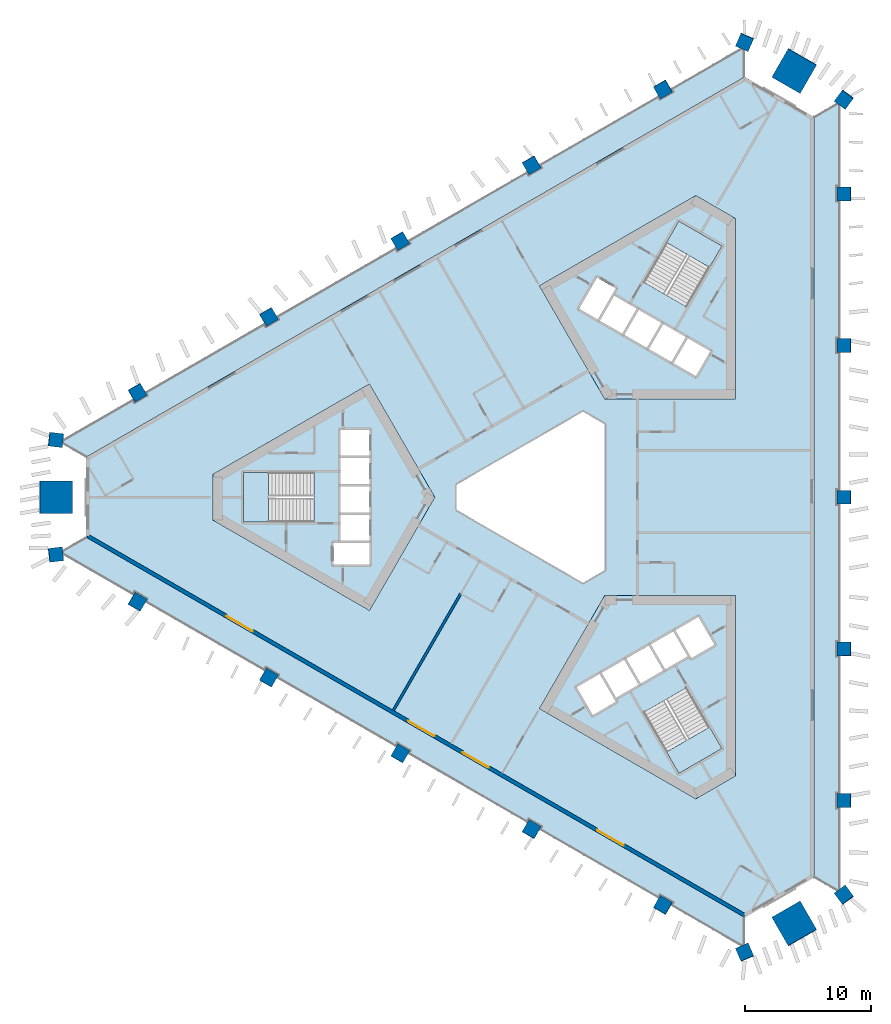
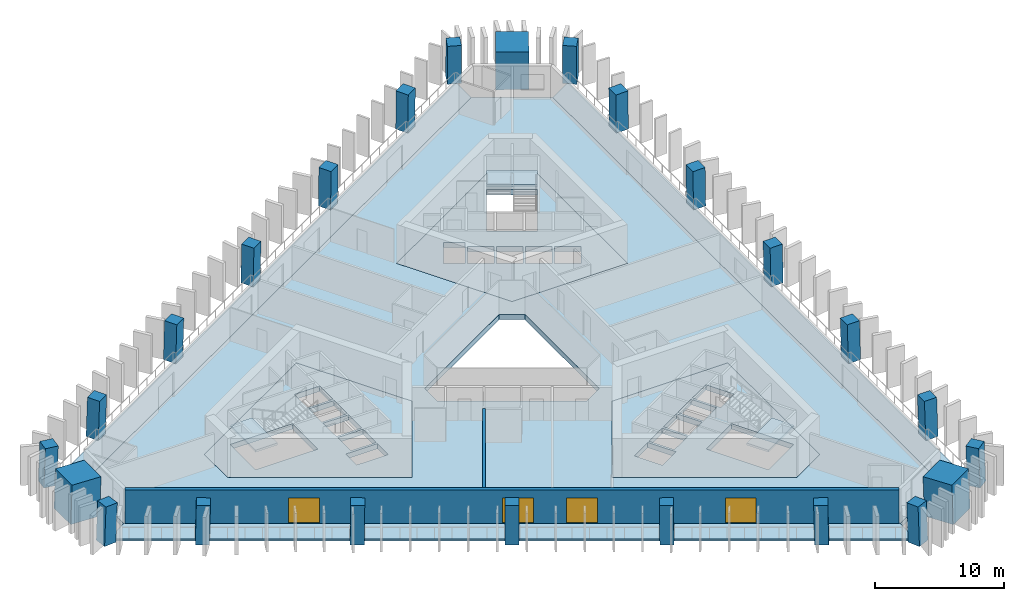
# One storey, part 1 of 10: 24 columns, 10 slabs, 4 doors, 2 walls, 4 openings, 3 elements without a shape of their own.
"""IFC4 building model written with IfcOpenShell, lengths in metres."""

from ifc_helpers import new_model, si_unit, direction, frame, frame_2d, origin, origin_2d, place, context, subcontext, project, spatial, polyline, rectangle, outline, extrude, material, layer, layer_set, material_profile, profile_set, type_object, element, fill, aggregate, save


model = new_model("IFC4")

# Units and contexts
model_context = context("Model", 3, precision=1e-05, world=origin(), true_north=direction((0.0, 1.0)))
body_context = subcontext(model_context, "Body", "Model", "MODEL_VIEW")
ifc_project = project(units=[si_unit("LENGTHUNIT", "METRE"), si_unit("AREAUNIT", "SQUARE_METRE"), si_unit("VOLUMEUNIT", "CUBIC_METRE"), si_unit("PLANEANGLEUNIT", "RADIAN"), si_unit("MASSUNIT", "GRAM", prefix="KILO")], contexts=[model_context])

# Site, building, storey
site_placement = place(None, origin())
site = spatial("IfcSite", under=ifc_project, at=site_placement, CompositionType="ELEMENT")
building_placement = place(site_placement, origin())
building = spatial("IfcBuilding", under=site, at=building_placement, Name="Jabali Bay Hotel Tower and Convention Centre", CompositionType="ELEMENT")
storey_placement = place(building_placement, frame((0.0, 0.0, 57.300048828125)))
storey = spatial("IfcBuildingStorey", under=building, at=storey_placement, Name="L12", CompositionType="ELEMENT", Elevation=57.300048828125)

# Columns
ifc_material_1 = material(Name="Concrete C60", Category="concrete")
ifc_material_profile_1 = material_profile(ifc_material_1, rectangle(XDim=1.10009765625, YDim=1.10009765625, at=origin_2d()), Name="Frame column 1100")
ifc_profile_set_1 = profile_set([ifc_material_profile_1], Name="Concrete C60")
column_type_1 = type_object("IfcColumnType", Name="Frame column 1100", PredefinedType="COLUMN", material=ifc_profile_set_1)
column_1_placement = place(storey_placement, frame((84.119873046875, 112.3994140625, 0.0), z_axis=(-0.00837646992, -0.028097450282, 0.999570091609), x_axis=(0.86617163682, 0.499292783589, 0.021293469065)))
element("IfcColumn", 1, at=column_1_placement, inside=storey, type_object=column_type_1, Name="FC2 F1.1 L12", PredefinedType="COLUMN", context=body_context, shape_type="SweptSolid", body=[
    extrude(rectangle(XDim=1.10009765625, YDim=1.10009765625, at=origin_2d()), origin(), (0.0, 0.0, 1.0), 3.70166015625),
])
column_2_placement = place(storey_placement, frame((73.685302734375, 106.375, 0.0), z_axis=(0.000857578916, -0.022824792675, 0.999739112668), x_axis=(0.866060219769, 0.499825848733, 0.01066848966)))
element("IfcColumn", 2, at=column_2_placement, inside=storey, type_object=column_type_1, Name="FC2 F1.2 L12", PredefinedType="COLUMN", context=body_context, shape_type="SweptSolid", body=[
    extrude(rectangle(XDim=1.10009765625, YDim=1.10009765625, at=origin_2d()), origin(), (0.0, 0.0, 1.0), 3.700927734375),
])
column_3_placement = place(storey_placement, frame((63.25048828125, 100.3505859375, 0.0), z_axis=(0.010093620709, -0.017482414954, 0.999796221231), x_axis=(-0.499897086036, 0.865849517735, 0.020187025824)))
element("IfcColumn", 3, at=column_3_placement, inside=storey, type_object=column_type_1, Name="FC2 F1.3 L12", PredefinedType="COLUMN", context=body_context, shape_type="SweptSolid", body=[
    extrude(rectangle(XDim=1.10009765625, YDim=1.10009765625, at=origin_2d()), origin(), (0.0, 0.0, 1.0), 3.70068359375),
])
column_4_placement = place(storey_placement, frame((52.81591796875, 94.326171875, 0.0), z_axis=(0.019328516974, -0.012138044789, 0.999739504221), x_axis=(-0.500205614953, 0.865671455024, 0.020181048691)))
element("IfcColumn", 4, at=column_4_placement, inside=storey, type_object=column_type_1, Name="FC2 F1.4 L12", PredefinedType="COLUMN", context=body_context, shape_type="SweptSolid", body=[
    extrude(rectangle(XDim=1.10009765625, YDim=1.10009765625, at=origin_2d()), origin(), (0.0, 0.0, 1.0), 3.700927734375),
])
for number, where, z_axis, x_axis, name in (
    (5, (42.38134765625, 88.3017578125, 0.0), (0.028559101991, -0.006859460986, 0.999568569678), (-0.498513358127, 0.866646856607, 0.020190534949), "FC2 F1.5 L12"),
    (6, (42.38134765625, 71.6982421875, 0.0), (0.028559101991, 0.006859460986, 0.999568569678), (-0.866411455062, 0.498874907895, 0.021331123037), "FC2 F2.1 L12"),
):
    element("IfcColumn", number, at=place(storey_placement, frame(where, z_axis=z_axis, x_axis=x_axis)), inside=storey, type_object=column_type_1, Name=name, PredefinedType="COLUMN", context=body_context, shape_type="SweptSolid", body=[
        extrude(rectangle(XDim=1.10009765625, YDim=1.10009765625, at=origin_2d()), origin(), (0.0, 0.0, 1.0), 3.70166015625),
    ])
column_5_placement = place(storey_placement, frame((52.81591796875, 65.673828125, 0.0), z_axis=(0.019328516974, 0.012138044789, 0.999739504221), x_axis=(-0.865690909737, 0.500465383244, 0.010660627254)))
element("IfcColumn", 7, at=column_5_placement, inside=storey, type_object=column_type_1, Name="FC2 F2.2 L12", PredefinedType="COLUMN", context=body_context, shape_type="SweptSolid", body=[
    extrude(rectangle(XDim=1.10009765625, YDim=1.10009765625, at=origin_2d()), origin(), (0.0, 0.0, 1.0), 3.700927734375),
])
column_6_placement = place(storey_placement, frame((63.25048828125, 59.6494140625, 0.0), z_axis=(0.010093620709, 0.017482414954, 0.999796221231), x_axis=(-0.866025993948, 0.499998977805, 1.48331e-07)))
element("IfcColumn", 8, at=column_6_placement, inside=storey, type_object=column_type_1, Name="FC2 F2.3 L12", PredefinedType="COLUMN", context=body_context, shape_type="SweptSolid", body=[
    extrude(rectangle(XDim=1.10009765625, YDim=1.10009765625, at=origin_2d()), origin(), (0.0, 0.0, 1.0), 3.70068359375),
])
column_7_placement = place(storey_placement, frame((73.685302734375, 53.625, 0.0), z_axis=(0.000857578916, 0.022824792675, 0.999739112668), x_axis=(-0.499938956565, -0.865825126557, 0.020196285069)))
element("IfcColumn", 9, at=column_7_placement, inside=storey, type_object=column_type_1, Name="FC2 F2.4 L12", PredefinedType="COLUMN", context=body_context, shape_type="SweptSolid", body=[
    extrude(rectangle(XDim=1.10009765625, YDim=1.10009765625, at=origin_2d()), origin(), (0.0, 0.0, 1.0), 3.700927734375),
])
for number, where, z_axis, x_axis, name in (
    (10, (84.119873046875, 47.6005859375, 0.0), (-0.00837646992, 0.028097450282, 0.999570091609), (-0.49967642562, -0.865977626468, 0.020154903518), "FC2 F2.5 L12"),
    (11, (98.498779296875, 55.902099609375, 0.0), (-0.020182631348, 0.021369844956, 0.999567902205), (-0.001315292007, -0.999771248084, 0.021347634776), "FC2 F0.1 L12"),
):
    element("IfcColumn", number, at=place(storey_placement, frame(where, z_axis=z_axis, x_axis=x_axis)), inside=storey, type_object=column_type_1, Name=name, PredefinedType="COLUMN", context=body_context, shape_type="SweptSolid", body=[
        extrude(rectangle(XDim=1.10009765625, YDim=1.10009765625, at=origin_2d()), origin(), (0.0, 0.0, 1.0), 3.70166015625),
    ])
column_8_placement = place(storey_placement, frame((98.498779296875, 67.951171875, 0.0), z_axis=(-0.020186102726, 0.010620792611, 0.999739826165), x_axis=(0.001543238363, -0.999942052594, 0.01065410105)))
element("IfcColumn", 12, at=column_8_placement, inside=storey, type_object=column_type_1, Name="FC2 F0.2 L12", PredefinedType="COLUMN", context=body_context, shape_type="SweptSolid", body=[
    extrude(rectangle(XDim=1.10009765625, YDim=1.10009765625, at=origin_2d()), origin(), (0.0, 0.0, 1.0), 3.700927734375),
])
column_9_placement = place(storey_placement, frame((98.498779296875, 80.0, 0.0), z_axis=(-0.020187241331, 0.0, 0.99979621688), x_axis=(0.0, -1.0, 0.0)))
element("IfcColumn", 13, at=column_9_placement, inside=storey, type_object=column_type_1, Name="FC2 F0.3 L12", PredefinedType="COLUMN", context=body_context, shape_type="SweptSolid", body=[
    extrude(rectangle(XDim=1.10009765625, YDim=1.10009765625, at=origin_2d()), origin(), (0.0, 0.0, 1.0), 3.70068359375),
])
column_10_placement = place(storey_placement, frame((98.498779296875, 92.048828125, 0.0), z_axis=(-0.020186102726, -0.010620792611, 0.999739826165), x_axis=(0.999795048834, -0.001757901631, 0.020168542579)))
element("IfcColumn", 14, at=column_10_placement, inside=storey, type_object=column_type_1, Name="FC2 F0.4 L12", PredefinedType="COLUMN", context=body_context, shape_type="SweptSolid", body=[
    extrude(rectangle(XDim=1.10009765625, YDim=1.10009765625, at=origin_2d()), origin(), (0.0, 0.0, 1.0), 3.700927734375),
])
column_11_placement = place(storey_placement, frame((98.498779296875, 104.097900390625, 0.0), z_axis=(-0.020182631348, -0.021369844956, 0.999567902205), x_axis=(0.999795444778, 0.000883872229, 0.020206122118)))
element("IfcColumn", 15, at=column_11_placement, inside=storey, type_object=column_type_1, Name="FC2 F0.5 L12", PredefinedType="COLUMN", context=body_context, shape_type="SweptSolid", body=[
    extrude(rectangle(XDim=1.10009765625, YDim=1.10009765625, at=origin_2d()), origin(), (0.0, 0.0, 1.0), 3.70166015625),
])
for number, where, z_axis, x_axis, name in (
    (16, (98.498779296875, 48.40771484375, 0.0), (-0.020178741915, 0.029015184452, 0.999375273581), (-0.802481468908, -0.596675989958, 0.001120297334), "FC2 V0 L12"),
    (17, (98.498779296875, 111.59228515625, 0.0), (-0.020178741915, -0.029015184452, 0.999375273581), (0.596335736338, 0.801957531343, 0.035324318648), "FC2 V1 L12"),
    (18, (90.6103515625, 116.146728515625, 0.0), (-0.015035141917, -0.031982648376, 0.99937533225), (0.918010378214, -0.396554776222, 0.001120244128), "FC2 V2 L12"),
    (19, (35.890869140625, 84.554443359375, 0.0), (0.03521388716, -0.002967462401, 0.999375393092), (-0.992684149689, 0.115458259268, 0.035320947384), "FC2 V3 L12"),
    (20, (35.890869140625, 75.445556640625, 0.0), (0.03521388716, 0.002967462401, 0.999375393092), (-0.115490956825, 0.993307900167, 0.001119981223), "FC2 V4 L12"),
    (21, (90.6103515625, 43.853271484375, 0.0), (-0.015035141917, 0.031982648376, 0.99937533225), (0.396271232868, -0.917453769766, 0.035322660471), "FC2 V5 L12"),
):
    element("IfcColumn", number, at=place(storey_placement, frame(where, z_axis=z_axis, x_axis=x_axis)), inside=storey, type_object=column_type_1, Name=name, PredefinedType="COLUMN", context=body_context, shape_type="SweptSolid", body=[
        extrude(rectangle(XDim=1.10009765625, YDim=1.10009765625, at=origin_2d()), origin(), (0.0, 0.0, 1.0), 3.7021484375),
    ])
ifc_material_2 = material(Name="Concrete C70", Category="concrete")
ifc_material_profile_2 = material_profile(ifc_material_2, rectangle(XDim=2.60009765625, YDim=2.60009765625, at=origin_2d()), Name="Mega column 2600")
ifc_profile_set_2 = profile_set([ifc_material_profile_2], Name="Concrete C70")
column_type_2 = type_object("IfcColumnType", Name="Mega column 2600", PredefinedType="COLUMN", material=ifc_profile_set_2)
for number, where, z_axis, x_axis, name in (
    (22, (94.5546875, 113.86962890625, 0.0), (-0.017607001884, -0.030531992032, 0.999378702468), (0.866279052578, -0.499560409824, 2.461e-09), "MC2 M1 L12"),
    (23, (35.890869140625, 80.0, 0.0), (0.035214042205, 0.0, 0.999379793288), (0.0, 1.0, 0.0), "MC2 M0 L12"),
    (24, (94.5546875, 46.13037109375, 0.0), (-0.017607001884, 0.030531992032, 0.999378702468), (0.4992500341, -0.865740835585, 0.035244986208), "MC2 M2 L12"),
):
    element("IfcColumn", number, at=place(storey_placement, frame(where, z_axis=z_axis, x_axis=x_axis)), inside=storey, type_object=column_type_2, Name=name, PredefinedType="COLUMN", context=body_context, shape_type="SweptSolid", body=[
        extrude(rectangle(XDim=2.60009765625, YDim=2.60009765625, at=origin_2d()), origin(), (0.0, 0.0, 1.0), 3.7021484375),
    ])

# Slabs
ifc_material_3 = material(Name="Concrete C40", Category="concrete")
ifc_layer_1 = layer(ifc_material_3, 0.5)
ifc_layer_set_1 = layer_set([ifc_layer_1], Name="Concrete C40")
slab_type_1 = type_object("IfcSlabType", Name="Core floor slab 500", PredefinedType="FLOOR", material=ifc_layer_set_1)
slab_1_placement = place(storey_placement, frame((0.0, 0.0, -0.5)))
element("IfcSlab", 25, at=slab_1_placement, inside=storey, type_object=slab_type_1, Name="Core floor slab 1 L12", PredefinedType="FLOOR", context=body_context, shape_type="SweptSolid", body=[
    extrude(outline(polyline([(66.0, 80.0), (60.81005859375, 88.9892578125), (48.39697265625, 81.82275390625), (48.39697265625, 78.17724609375), (60.81005859375, 71.0107421875), (66.0, 80.0)]), holes=[polyline([(60.800048828125, 74.64990234375), (60.800048828125, 76.35009765625), (57.949951171875, 76.35009765625), (57.949951171875, 74.64990234375), (60.800048828125, 74.64990234375)]), polyline([(58.52001953125, 76.550048828125), (60.800048828125, 76.550048828125), (60.800048828125, 78.60009765625), (58.52001953125, 78.60009765625), (58.52001953125, 76.550048828125)]), polyline([(58.52001953125, 78.800048828125), (60.800048828125, 78.800048828125), (60.800048828125, 80.85009765625), (58.52001953125, 80.85009765625), (58.52001953125, 78.800048828125)]), polyline([(56.409912109375, 81.97509765625), (50.820068359375, 81.97509765625), (50.820068359375, 78.02490234375), (56.409912109375, 78.02490234375), (56.409912109375, 81.97509765625)]), polyline([(58.52001953125, 81.050048828125), (60.800048828125, 81.050048828125), (60.800048828125, 83.10009765625), (58.52001953125, 83.10009765625), (58.52001953125, 81.050048828125)]), polyline([(58.52001953125, 83.300048828125), (60.800048828125, 83.300048828125), (60.800048828125, 85.35009765625), (58.52001953125, 85.35009765625), (58.52001953125, 83.300048828125)])]), origin(), (0.0, 0.0, 1.0), 0.5),
])
slab_2_placement = place(storey_placement, frame((0.0, 0.0, -0.5)))
element("IfcSlab", 26, at=slab_2_placement, inside=storey, type_object=slab_type_1, Name="Core floor slab 2 L12", PredefinedType="FLOOR", context=body_context, shape_type="SweptSolid", body=[
    extrude(outline(polyline([(79.5, 87.794189453125), (89.8798828125, 87.794189453125), (89.8798828125, 102.127685546875), (86.72314453125, 103.9501953125), (74.31005859375, 96.78369140625), (79.5, 87.794189453125)]), holes=[polyline([(84.957763671875, 90.6474609375), (86.733154296875, 89.62255859375), (87.873291015625, 91.59716796875), (86.097900390625, 92.6220703125), (84.957763671875, 90.6474609375)]), polyline([(84.1494140625, 93.7470703125), (83.00927734375, 91.7724609375), (84.78466796875, 90.74755859375), (85.924560546875, 92.72216796875), (84.1494140625, 93.7470703125)]), polyline([(82.20068359375, 94.8720703125), (81.060791015625, 92.8974609375), (82.836181640625, 91.87255859375), (83.97607421875, 93.84716796875), (82.20068359375, 94.8720703125)]), polyline([(79.1123046875, 94.0224609375), (80.887451171875, 92.99755859375), (82.027587890625, 94.97216796875), (80.252197265625, 95.9970703125), (79.1123046875, 94.0224609375)]), polyline([(78.891845703125, 97.440673828125), (77.466796875, 94.97265625), (78.93896484375, 94.12255859375), (80.364013671875, 96.5908203125), (78.891845703125, 97.440673828125)]), polyline([(82.584716796875, 97.0869140625), (86.00537109375, 95.11181640625), (88.80029296875, 99.952880859375), (85.379638671875, 101.927978515625), (82.584716796875, 97.0869140625)])]), origin(), (0.0, 0.0, 1.0), 0.5),
])
slab_3_placement = place(storey_placement, frame((0.0, 0.0, -0.5)))
element("IfcSlab", 27, at=slab_3_placement, inside=storey, type_object=slab_type_1, Name="Core floor slab 3 L12", PredefinedType="FLOOR", context=body_context, shape_type="SweptSolid", body=[
    extrude(outline(polyline([(79.5, 72.205810546875), (74.31005859375, 63.21630859375), (86.72314453125, 56.0498046875), (89.8798828125, 57.872314453125), (89.8798828125, 72.205810546875), (79.5, 72.205810546875)]), holes=[polyline([(82.584716796875, 62.9130859375), (85.379638671875, 58.072021484375), (88.80029296875, 60.047119140625), (86.00537109375, 64.88818359375), (82.584716796875, 62.9130859375)]), polyline([(80.365478515625, 63.756591796875), (79.090576171875, 65.96484375), (77.27197265625, 64.9150390625), (78.546875, 62.70654296875), (80.365478515625, 63.756591796875)]), polyline([(82.17919921875, 65.115478515625), (81.0390625, 67.08984375), (79.263671875, 66.06494140625), (80.40380859375, 64.09033203125), (82.17919921875, 65.115478515625)]), polyline([(82.98779296875, 68.21484375), (81.21240234375, 67.18994140625), (82.352294921875, 65.21533203125), (84.127685546875, 66.240478515625), (82.98779296875, 68.21484375)]), polyline([(86.076171875, 67.365478515625), (84.936279296875, 69.33984375), (83.160888671875, 68.31494140625), (84.30078125, 66.34033203125), (86.076171875, 67.365478515625)]), polyline([(88.203125, 68.281494140625), (86.927978515625, 70.489990234375), (85.109375, 69.43994140625), (86.384521484375, 67.231689453125), (88.203125, 68.281494140625)])]), origin(), (0.0, 0.0, 1.0), 0.5),
])
ifc_layer_2 = layer(ifc_material_3, 0.199951171875)
ifc_layer_set_2 = layer_set([ifc_layer_2], Name="Concrete C40")
slab_type_2 = type_object("IfcSlabType", Name="Loggia slab 200", PredefinedType="FLOOR", material=ifc_layer_set_2)
slab_4_placement = place(storey_placement, frame((0.0, 0.0, -0.199951171875)))
element("IfcSlab", 28, at=slab_4_placement, inside=storey, type_object=slab_type_2, Name="Loggia slab east face L12", PredefinedType="FLOOR", context=body_context, shape_type="SweptSolid", body=[
    extrude(outline(polyline([(96.098876953125, 110.20654296875), (97.97998046875, 111.292724609375), (98.19873046875, 111.1298828125), (98.19873046875, 104.647705078125), (97.94873046875, 104.647705078125), (97.94873046875, 103.5478515625), (98.19873046875, 103.5478515625), (98.19873046875, 92.598876953125), (97.94873046875, 92.598876953125), (97.94873046875, 91.4990234375), (98.19873046875, 91.4990234375), (98.19873046875, 80.550048828125), (97.94873046875, 80.550048828125), (97.94873046875, 79.449951171875), (98.19873046875, 79.449951171875), (98.19873046875, 68.5009765625), (97.94873046875, 68.5009765625), (97.94873046875, 67.401123046875), (98.19873046875, 67.401123046875), (98.19873046875, 56.4521484375), (97.94873046875, 56.4521484375), (97.94873046875, 55.352294921875), (98.19873046875, 55.352294921875), (98.19873046875, 48.8701171875), (97.97998046875, 48.707275390625), (96.098876953125, 49.79345703125), (96.098876953125, 110.20654296875)])), origin(), (0.0, 0.0, 1.0), 0.199951171875),
])
slab_5_placement = place(storey_placement, frame((0.0, 0.0, -0.199951171875)))
element("IfcSlab", 29, at=slab_5_placement, inside=storey, type_object=slab_type_2, Name="Loggia slab north-west face L12", PredefinedType="FLOOR", context=body_context, shape_type="SweptSolid", body=[
    extrude(outline(polyline([(38.290771484375, 83.168701171875), (36.40966796875, 84.2548828125), (36.441162109375, 84.52587890625), (42.054931640625, 87.766845703125), (42.179931640625, 87.55029296875), (43.132568359375, 88.100341796875), (43.007568359375, 88.31689453125), (52.489501953125, 93.791259765625), (52.614501953125, 93.57470703125), (53.567138671875, 94.124755859375), (53.442138671875, 94.34130859375), (62.92431640625, 99.815673828125), (63.04931640625, 99.599365234375), (64.001953125, 100.149169921875), (63.876953125, 100.36572265625), (73.35888671875, 105.84033203125), (73.48388671875, 105.623779296875), (74.4365234375, 106.173828125), (74.3115234375, 106.39013671875), (83.793701171875, 111.86474609375), (83.918701171875, 111.648193359375), (84.871337890625, 112.1982421875), (84.746337890625, 112.414794921875), (90.35986328125, 115.65576171875), (90.6103515625, 115.547607421875), (90.6103515625, 113.37548828125), (38.290771484375, 83.168701171875)])), origin(), (0.0, 0.0, 1.0), 0.199951171875),
])
slab_6_placement = place(storey_placement, frame((0.0, 0.0, -0.199951171875)))
element("IfcSlab", 30, at=slab_6_placement, inside=storey, type_object=slab_type_2, Name="Loggia slab south-west face L12", PredefinedType="FLOOR", context=body_context, shape_type="SweptSolid", body=[
    extrude(outline(polyline([(90.6103515625, 46.62451171875), (90.6103515625, 44.452392578125), (90.35986328125, 44.34423828125), (84.746337890625, 47.585205078125), (84.871337890625, 47.8017578125), (83.918701171875, 48.351806640625), (83.793701171875, 48.13525390625), (74.3115234375, 53.60986328125), (74.4365234375, 53.826171875), (73.48388671875, 54.376220703125), (73.35888671875, 54.15966796875), (63.876953125, 59.63427734375), (64.001953125, 59.850830078125), (63.04931640625, 60.400634765625), (62.92431640625, 60.184326171875), (53.442138671875, 65.65869140625), (53.567138671875, 65.875244140625), (52.614501953125, 66.42529296875), (52.489501953125, 66.208740234375), (43.007568359375, 71.68310546875), (43.132568359375, 71.899658203125), (42.179931640625, 72.44970703125), (42.054931640625, 72.233154296875), (36.441162109375, 75.47412109375), (36.40966796875, 75.7451171875), (38.290771484375, 76.831298828125), (90.6103515625, 46.62451171875)])), origin(), (0.0, 0.0, 1.0), 0.199951171875),
])
ifc_layer_3 = layer(ifc_material_3, 0.5)
ifc_layer_set_3 = layer_set([ifc_layer_3], Name="Concrete C40")
slab_type_3 = type_object("IfcSlabType", Name="Post-tensioned flat slab 500", PredefinedType="FLOOR", material=ifc_layer_set_3)
slab_7_placement = place(storey_placement, frame((0.0, 0.0, -0.5)))
element("IfcSlab", 31, at=slab_7_placement, inside=storey, type_object=slab_type_3, Name="Floor slab L12", PredefinedType="FLOOR", context=body_context, shape_type="SweptSolid", body=[
    extrude(outline(polyline([(90.6103515625, 113.37548828125), (96.098876953125, 110.20654296875), (96.098876953125, 49.79345703125), (90.6103515625, 46.62451171875), (38.290771484375, 76.831298828125), (38.290771484375, 83.168701171875), (90.6103515625, 113.37548828125)]), holes=[polyline([(67.73193359375, 79.0), (77.76806640625, 73.205810546875), (79.5, 74.205810546875), (79.5, 85.794189453125), (77.76806640625, 86.794189453125), (67.73193359375, 81.0), (67.73193359375, 79.0)]), polyline([(48.39697265625, 78.17724609375), (60.81005859375, 71.0107421875), (66.0, 80.0), (60.81005859375, 88.9892578125), (48.39697265625, 81.82275390625), (48.39697265625, 78.17724609375)]), polyline([(89.8798828125, 102.127685546875), (86.72314453125, 103.9501953125), (74.31005859375, 96.78369140625), (79.5, 87.794189453125), (89.8798828125, 87.794189453125), (89.8798828125, 102.127685546875)]), polyline([(74.31005859375, 63.21630859375), (86.72314453125, 56.0498046875), (89.8798828125, 57.872314453125), (89.8798828125, 72.205810546875), (79.5, 72.205810546875), (74.31005859375, 63.21630859375)])]), origin(), (0.0, 0.0, 1.0), 0.5),
])

# Stair, slab
stair_type = type_object("IfcStairType", Name="Exit stair 1900", PredefinedType="HALF_TURN_STAIR", material=ifc_material_3)
stair_1_placement = place(storey_placement, origin())
stair_1 = element("IfcStair", 32, at=stair_1_placement, inside=storey, type_object=stair_type, Name="L12 Exit Stair 1", PredefinedType="HALF_TURN_STAIR")
ifc_layer_4 = layer(ifc_material_3, 0.199951171875)
ifc_layer_set_4 = layer_set([ifc_layer_4], Name="Concrete C40")
slab_type_4 = type_object("IfcSlabType", Name="Stair landing 200", PredefinedType="LANDING", material=ifc_layer_set_4)
slab_8_placement = place(storey_placement, frame((0.0, 0.0, 1.64990234375)))
slab_8 = element("IfcSlab", 33, at=slab_8_placement, type_object=slab_type_4, Name="ST1 landing 1", PredefinedType="LANDING", context=body_context, shape_type="SweptSolid", body=[
    extrude(outline(polyline([(52.782958984375, 81.97509765625), (50.820068359375, 81.97509765625), (50.820068359375, 78.02490234375), (52.782958984375, 78.02490234375), (52.782958984375, 81.97509765625)])), origin(), (0.0, 0.0, 1.0), 0.199951171875),
])
aggregate(stair_1, [slab_8])

stair_2_placement = place(storey_placement, origin())
stair_2 = element("IfcStair", 34, at=stair_2_placement, inside=storey, type_object=stair_type, Name="L12 Exit Stair 2", PredefinedType="HALF_TURN_STAIR")
slab_9_placement = place(storey_placement, frame((0.0, 0.0, 1.64990234375)))
slab_9 = element("IfcSlab", 35, at=slab_9_placement, type_object=slab_type_4, Name="ST2 landing 1", PredefinedType="LANDING", context=body_context, shape_type="SweptSolid", body=[
    extrude(outline(polyline([(87.81884765625, 98.2529296875), (88.80029296875, 99.952880859375), (85.379638671875, 101.927978515625), (84.398193359375, 100.22802734375), (87.81884765625, 98.2529296875)])), origin(), (0.0, 0.0, 1.0), 0.199951171875),
])
aggregate(stair_2, [slab_9])

stair_3_placement = place(storey_placement, origin())
stair_3 = element("IfcStair", 36, at=stair_3_placement, inside=storey, type_object=stair_type, Name="L12 Exit Stair 3", PredefinedType="HALF_TURN_STAIR")
slab_10_placement = place(storey_placement, frame((0.0, 0.0, 1.64990234375)))
slab_10 = element("IfcSlab", 37, at=slab_10_placement, type_object=slab_type_4, Name="ST3 landing 1", PredefinedType="LANDING", context=body_context, shape_type="SweptSolid", body=[
    extrude(outline(polyline([(84.398193359375, 59.77197265625), (85.379638671875, 58.072021484375), (88.80029296875, 60.047119140625), (87.81884765625, 61.7470703125), (84.398193359375, 59.77197265625)])), origin(), (0.0, 0.0, 1.0), 0.199951171875),
])
aggregate(stair_3, [slab_10])

# Wall, openings, doors
ifc_layer_5 = layer(ifc_material_3, 0.300048828125)
ifc_layer_set_5 = layer_set([ifc_layer_5], Name="Concrete C40")
wall_type_1 = type_object("IfcWallType", Name="External wall 300", PredefinedType="SOLIDWALL", material=ifc_layer_set_5)
wall_1_placement = place(storey_placement, frame((90.6103515625, 46.7978515625, 0.0), z_axis=(0.0, 0.0, 1.0), x_axis=(-0.866026578911, 0.499997964616, 0.0)))
wall_1 = element("IfcWall", 38, at=wall_1_placement, inside=storey, type_object=wall_type_1, Name="External wall south-west face L12", PredefinedType="SOLIDWALL", context=body_context, shape_type="SweptSolid", body=[
    extrude(rectangle(XDim=60.239990234375, YDim=0.300048828125, at=frame_2d((30.1201171875, 0.0))), origin(), (0.0, 0.0, 1.0), 3.199951171875),
])
opening_1_placement = place(wall_1_placement, frame((28.452392578125, 0.0, 0.0)))
opening_1 = element("IfcOpeningElement", 39, at=opening_1_placement, cuts=wall_1, Name="Opening SD1", PredefinedType="OPENING", context=body_context, shape_type="SweptSolid", body=[
    extrude(rectangle(XDim=2.39990234375, YDim=2.39990234375, at=frame_2d((1.199951171875, 1.199951171875))), frame((0.0, 0.16064453125, 0.0), z_axis=(0.0, -1.0, 0.0), x_axis=(1.0, 0.0, 0.0)), (0.0, 0.0, 1.0), 0.321044921875),
])
opening_2_placement = place(wall_1_placement, frame((23.464111328125, 0.0, 0.0)))
opening_2 = element("IfcOpeningElement", 40, at=opening_2_placement, cuts=wall_1, Name="Opening SD1", PredefinedType="OPENING", context=body_context, shape_type="SweptSolid", body=[
    extrude(rectangle(XDim=2.39990234375, YDim=2.39990234375, at=frame_2d((1.199951171875, 1.199951171875))), frame((0.0, 0.16064453125, 0.0), z_axis=(0.0, -1.0, 0.0), x_axis=(1.0, 0.0, 0.0)), (0.0, 0.0, 1.0), 0.321044921875),
])
opening_3_placement = place(wall_1_placement, frame((11.11669921875, 0.0, 0.0)))
opening_3 = element("IfcOpeningElement", 41, at=opening_3_placement, cuts=wall_1, Name="Opening SD1", PredefinedType="OPENING", context=body_context, shape_type="SweptSolid", body=[
    extrude(rectangle(XDim=2.39990234375, YDim=2.39990234375, at=frame_2d((1.199951171875, 1.199951171875))), frame((0.0, 0.16064453125, 0.0), z_axis=(0.0, -1.0, 0.0), x_axis=(1.0, 0.0, 0.0)), (0.0, 0.0, 1.0), 0.321044921875),
])
opening_4_placement = place(wall_1_placement, frame((45.114501953125, 0.0, 0.0)))
opening_4 = element("IfcOpeningElement", 42, at=opening_4_placement, cuts=wall_1, Name="Opening SD1", PredefinedType="OPENING", context=body_context, shape_type="SweptSolid", body=[
    extrude(rectangle(XDim=2.39990234375, YDim=2.39990234375, at=frame_2d((1.199951171875, 1.199951171875))), frame((0.0, 0.16064453125, 0.0), z_axis=(0.0, -1.0, 0.0), x_axis=(1.0, 0.0, 0.0)), (0.0, 0.0, 1.0), 0.321044921875),
])
ifc_material_4 = material(Name="Glass", Category="glass")
door_type = type_object("IfcDoorType", Name="Loggia sliding door 2400 x 2400", OperationType="NOTDEFINED", PredefinedType="NOTDEFINED", material=ifc_material_4)
door_1_placement = place(opening_1_placement, origin())
door_1 = element("IfcDoor", 43, at=door_1_placement, inside=storey, type_object=door_type, Name="Loggia sliding door 1207", OperationType="SLIDING_TO_LEFT", OverallHeight=2.39990234375, OverallWidth=2.39990234375, PredefinedType="NOTDEFINED", context=body_context, shape_type="SweptSolid", body=[
    extrude(rectangle(XDim=2.39990234375, YDim=2.39990234375, at=frame_2d((1.199951171875, 1.199951171875))), frame((0.0, 0.02490234375, 0.0), z_axis=(0.0, -1.0, 0.0), x_axis=(1.0, 0.0, 0.0)), (0.0, 0.0, 1.0), 0.050048828125),
])
fill(opening_1, door_1)
door_2_placement = place(opening_2_placement, origin())
door_2 = element("IfcDoor", 44, at=door_2_placement, inside=storey, type_object=door_type, Name="Loggia sliding door 1208", OperationType="SLIDING_TO_RIGHT", OverallHeight=2.39990234375, OverallWidth=2.39990234375, PredefinedType="NOTDEFINED", context=body_context, shape_type="SweptSolid", body=[
    extrude(rectangle(XDim=2.39990234375, YDim=2.39990234375, at=frame_2d((1.199951171875, 1.199951171875))), frame((0.0, 0.02490234375, 0.0), z_axis=(0.0, -1.0, 0.0), x_axis=(1.0, 0.0, 0.0)), (0.0, 0.0, 1.0), 0.050048828125),
])
fill(opening_2, door_2)
door_3_placement = place(opening_3_placement, origin())
door_3 = element("IfcDoor", 45, at=door_3_placement, inside=storey, type_object=door_type, Name="Loggia sliding door 1208", OperationType="SLIDING_TO_LEFT", OverallHeight=2.39990234375, OverallWidth=2.39990234375, PredefinedType="NOTDEFINED", context=body_context, shape_type="SweptSolid", body=[
    extrude(rectangle(XDim=2.39990234375, YDim=2.39990234375, at=frame_2d((1.199951171875, 1.199951171875))), frame((0.0, 0.02490234375, 0.0), z_axis=(0.0, -1.0, 0.0), x_axis=(1.0, 0.0, 0.0)), (0.0, 0.0, 1.0), 0.050048828125),
])
fill(opening_3, door_3)
door_4_placement = place(opening_4_placement, origin())
door_4 = element("IfcDoor", 46, at=door_4_placement, inside=storey, type_object=door_type, Name="Loggia sliding door 1206", OperationType="SLIDING_TO_RIGHT", OverallHeight=2.39990234375, OverallWidth=2.39990234375, PredefinedType="NOTDEFINED", context=body_context, shape_type="SweptSolid", body=[
    extrude(rectangle(XDim=2.39990234375, YDim=2.39990234375, at=frame_2d((1.199951171875, 1.199951171875))), frame((0.0, 0.02490234375, 0.0), z_axis=(0.0, -1.0, 0.0), x_axis=(1.0, 0.0, 0.0)), (0.0, 0.0, 1.0), 0.050048828125),
])
fill(opening_4, door_4)

# Wall
ifc_material_5 = material(Name="Plasterboard on steel stud", Category="steel")
ifc_layer_6 = layer(ifc_material_5, 0.199951171875)
ifc_layer_set_6 = layer_set([ifc_layer_6], Name="Plasterboard on steel stud")
wall_type_2 = type_object("IfcWallType", Name="Partition 200 party", PredefinedType="PARTITIONING", material=ifc_layer_set_6)
wall_2_placement = place(storey_placement, frame((62.7099609375, 63.077880859375, 0.0), z_axis=(0.0, 0.0, 1.0), x_axis=(0.500011474612, 0.866018778813, 0.0)))
element("IfcWall", 47, at=wall_2_placement, inside=storey, type_object=wall_type_2, Name="Partition P01 L12 024", PredefinedType="PARTITIONING", context=body_context, shape_type="SweptSolid", body=[
    extrude(rectangle(XDim=10.699951171875, YDim=0.199951171875, at=frame_2d((5.35009765625, 0.0))), origin(), (0.0, 0.0, 1.0), 3.199951171875),
])

save(model, "model.ifc")
